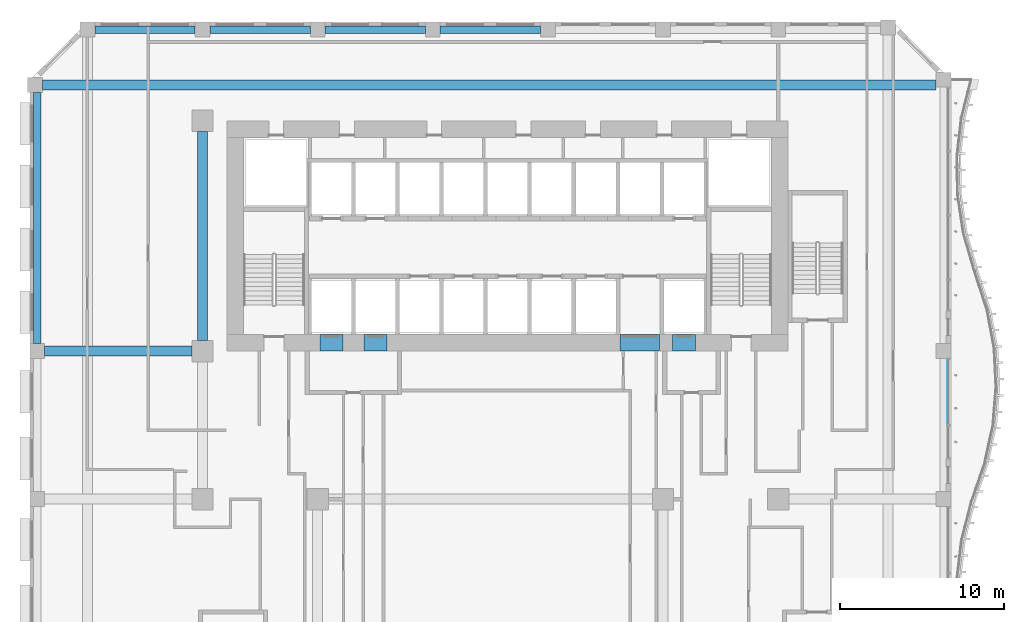
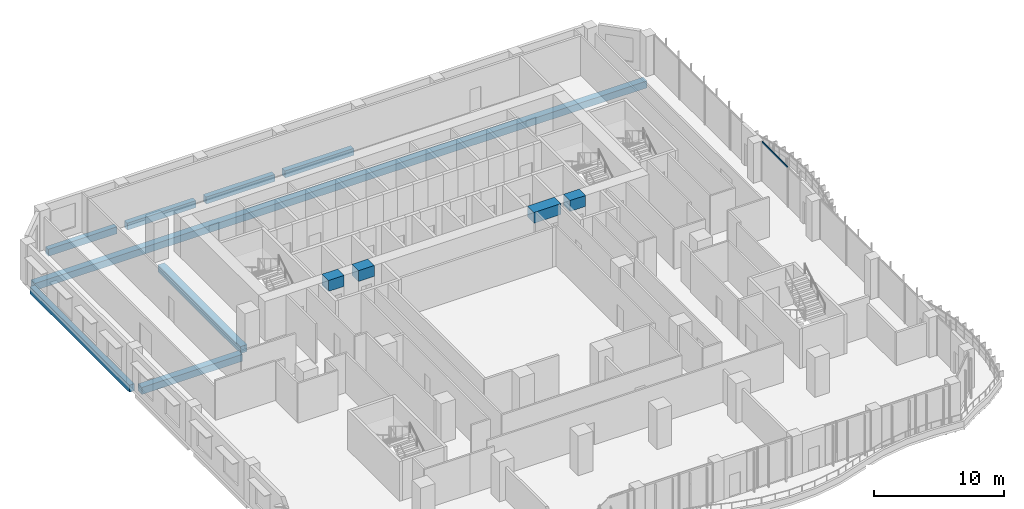
# One storey, part 7 of 27: 12 beams, 1 member, 1 element without a shape of its own.
"""IFC4 building model written with IfcOpenShell, lengths in metres."""

from ifc_helpers import new_model, si_unit, direction, frame, origin, origin_2d, place, context, subcontext, project, spatial, rectangle, extrude, source, transform, mapped, material, material_profile, profile_set, type_object, element, aggregate, save


model = new_model("IFC4")

# Units and contexts
model_context = context("Model", 3, precision=1e-05, world=origin(), true_north=direction((0.0, 1.0)))
body_context = subcontext(model_context, "Body", "Model", "MODEL_VIEW")
ifc_project = project(units=[si_unit("LENGTHUNIT", "METRE"), si_unit("AREAUNIT", "SQUARE_METRE"), si_unit("VOLUMEUNIT", "CUBIC_METRE"), si_unit("PLANEANGLEUNIT", "RADIAN"), si_unit("MASSUNIT", "GRAM", prefix="KILO")], contexts=[model_context])

# Site, building, storey
site_placement = place(None, origin())
site = spatial("IfcSite", under=ifc_project, at=site_placement, CompositionType="ELEMENT")
building_placement = place(site_placement, origin())
building = spatial("IfcBuilding", under=site, at=building_placement, Name="Kilnfold Tower and Market Hall", CompositionType="ELEMENT")
storey_placement = place(building_placement, frame((0.0, 0.0, 47.0)))
storey = spatial("IfcBuildingStorey", under=building, at=storey_placement, Name="L10", CompositionType="ELEMENT", Elevation=47.0)

# Beams
ifc_material_1 = material(Name="Concrete C45", Category="concrete")
ifc_material_profile_1 = material_profile(ifc_material_1, rectangle(XDim=0.449951171875, YDim=0.64990234375, at=origin_2d()), Name="RC 450x650")
ifc_profile_set_1 = profile_set([ifc_material_profile_1], Name="Concrete C45")
beam_type_1 = type_object("IfcBeamType", Name="EDGE BEAM 450X650 C45", PredefinedType="BEAM", material=ifc_profile_set_1)
shared_shape_1 = source(origin(), body_context, "Body", "SweptSolid", [
    extrude(rectangle(XDim=0.449951171875, YDim=0.64990234375, at=origin_2d()), origin(), (0.0, 0.0, 1.0), 6.10009765625),
])
for number, where, z_axis, x_axis, name in (
    (1, (-24.050048828125, 27.550048828125, -0.60498046875), (1.0, 0.0, 0.0), (0.0, 1.0, 0.0), "Beam EB650-B1.23"),
    (2, (-17.050048828125, 27.550048828125, -0.60498046875), (1.0, 0.0, 0.0), (0.0, 1.0, 0.0), "Beam EB650-B1.24"),
    (3, (-10.050048828125, 27.550048828125, -0.60498046875), (1.0, 0.0, 0.0), (0.0, 1.0, 0.0), "Beam EB650-B1.25"),
    (4, (-3.050048828125, 27.550048828125, -0.60498046875), (1.0, 0.0, 0.0), (0.0, 1.0, 0.0), "Beam EB650-B1.26"),
):
    element("IfcBeam", number, at=place(storey_placement, frame(where, z_axis=z_axis, x_axis=x_axis)), inside=storey, type_object=beam_type_1, Name=name, PredefinedType="BEAM", context=body_context, shape_type="MappedRepresentation", body=[
        mapped(shared_shape_1, transform((0.0, 0.0, 0.0))),
    ])
ifc_material_2 = material(Name="Concrete C45", Category="concrete")
ifc_material_profile_2 = material_profile(ifc_material_2, rectangle(XDim=0.60009765625, YDim=0.64990234375, at=origin_2d()), Name="RC 600x650")
ifc_profile_set_2 = profile_set([ifc_material_profile_2], Name="Concrete C45")
beam_type_2 = type_object("IfcBeamType", Name="BEAM 600X650 C45", PredefinedType="BEAM", material=ifc_profile_set_2)
shared_shape_2 = source(origin(), body_context, "Body", "SweptSolid", [
    extrude(rectangle(XDim=0.60009765625, YDim=0.64990234375, at=origin_2d()), origin(), (0.0, 0.0, 1.0), 8.9501953125),
])
beam_1_placement = place(storey_placement, frame((-27.10009765625, 8.0, -0.60498046875), z_axis=(1.0, 0.0, 0.0), x_axis=(0.0, 1.0, 0.0)))
element("IfcBeam", 5, at=beam_1_placement, inside=storey, type_object=beam_type_2, Name="Beam BB650-B1.21", PredefinedType="BEAM", context=body_context, shape_type="MappedRepresentation", body=[
    mapped(shared_shape_2, transform((0.0, 0.0, 0.0))),
])
shared_shape_3 = source(origin(), body_context, "Body", "SweptSolid", [
    extrude(rectangle(XDim=0.60009765625, YDim=0.64990234375, at=origin_2d()), origin(), (0.0, 0.0, 1.0), 54.331787109375),
])
beam_2_placement = place(storey_placement, frame((-27.231689453125, 24.179931640625, -0.60498046875), z_axis=(1.0, 0.0, 0.0), x_axis=(0.0, 1.0, 0.0)))
element("IfcBeam", 6, at=beam_2_placement, inside=storey, type_object=beam_type_2, Name="Beam BB650-B1.22", PredefinedType="BEAM", context=body_context, shape_type="MappedRepresentation", body=[
    mapped(shared_shape_3, transform((0.0, 0.0, 0.0))),
])
shared_shape_4 = source(origin(), body_context, "Body", "SweptSolid", [
    extrude(rectangle(XDim=0.449951171875, YDim=0.64990234375, at=origin_2d()), origin(), (0.0, 0.0, 1.0), 15.28173828125),
])
beam_3_placement = place(storey_placement, frame((-27.550048828125, 8.449951171875, -0.60498046875), z_axis=(0.0, 1.0, 0.0), x_axis=(-1.0, 0.0, 0.0)))
element("IfcBeam", 7, at=beam_3_placement, inside=storey, type_object=beam_type_1, Name="Beam EB650-B1.34", PredefinedType="BEAM", context=body_context, shape_type="MappedRepresentation", body=[
    mapped(shared_shape_4, transform((0.0, 0.0, 0.0))),
])
shared_shape_5 = source(origin(), body_context, "Body", "SweptSolid", [
    extrude(rectangle(XDim=0.60009765625, YDim=0.64990234375, at=origin_2d()), origin(), (0.0, 0.0, 1.0), 12.7001953125),
])
beam_4_placement = place(storey_placement, frame((-17.5, 8.64990234375, -0.60498046875), z_axis=(0.0, 1.0, 0.0), x_axis=(-1.0, 0.0, 0.0)))
element("IfcBeam", 8, at=beam_4_placement, inside=storey, type_object=beam_type_2, Name="Beam BB650-B1.38", PredefinedType="BEAM", context=body_context, shape_type="MappedRepresentation", body=[
    mapped(shared_shape_5, transform((0.0, 0.0, 0.0))),
])
ifc_material_3 = material(Name="Concrete C80", Category="concrete")
ifc_material_profile_3 = material_profile(ifc_material_3, rectangle(XDim=1.0, YDim=1.02001953125, at=origin_2d()), Name="RC 1000x1020")
ifc_profile_set_3 = profile_set([ifc_material_profile_3], Name="Concrete C80")
beam_type_3 = type_object("IfcBeamType", Name="COUPLING BEAM 1000X1020 C80", PredefinedType="BEAM", material=ifc_profile_set_3)
shared_shape_6 = source(origin(), body_context, "Body", "SweptSolid", [
    extrude(rectangle(XDim=1.0, YDim=1.02001953125, at=origin_2d()), origin(), (0.0, 0.0, 1.0), 1.400146484375),
])
beam_5_placement = place(storey_placement, frame((-10.3701171875, 8.5, 3.2099609375), z_axis=(1.0, 0.0, 0.0), x_axis=(0.0, 1.0, 0.0)))
element("IfcBeam", 9, at=beam_5_placement, inside=storey, type_object=beam_type_3, Name="Coupling beam CB1020-80-CORE.42", PredefinedType="BEAM", context=body_context, shape_type="MappedRepresentation", body=[
    mapped(shared_shape_6, transform((0.0, 0.0, 0.0))),
])
shared_shape_7 = source(origin(), body_context, "Body", "SweptSolid", [
    extrude(rectangle(XDim=1.0, YDim=1.02001953125, at=origin_2d()), origin(), (0.0, 0.0, 1.0), 1.39990234375),
])
for number, where, z_axis, x_axis, name in (
    (10, (-7.68994140625, 8.5, 3.2099609375), (1.0, 0.0, 0.0), (0.0, 1.0, 0.0), "Coupling beam CB1020-80-CORE.43"),
    (11, (11.070068359375, 8.5, 3.2099609375), (1.0, 0.0, 0.0), (0.0, 1.0, 0.0), "Coupling beam CB1020-80-CORE.45"),
):
    element("IfcBeam", number, at=place(storey_placement, frame(where, z_axis=z_axis, x_axis=x_axis)), inside=storey, type_object=beam_type_3, Name=name, PredefinedType="BEAM", context=body_context, shape_type="MappedRepresentation", body=[
        mapped(shared_shape_7, transform((0.0, 0.0, 0.0))),
    ])
shared_shape_8 = source(origin(), body_context, "Body", "SweptSolid", [
    extrude(rectangle(XDim=1.0, YDim=1.02001953125, at=origin_2d()), origin(), (0.0, 0.0, 1.0), 2.400146484375),
])
beam_6_placement = place(storey_placement, frame((7.889892578125, 8.5, 3.2099609375), z_axis=(1.0, 0.0, 0.0), x_axis=(0.0, 1.0, 0.0)))
element("IfcBeam", 12, at=beam_6_placement, inside=storey, type_object=beam_type_3, Name="Coupling beam CB1020-80-CORE.44", PredefinedType="BEAM", context=body_context, shape_type="MappedRepresentation", body=[
    mapped(shared_shape_8, transform((0.0, 0.0, 0.0))),
])

# Curtain wall, member
ifc_material_4 = material(Name="Aluminium and double glazing", Category="aluminium")
curtain_wall_type = type_object("IfcCurtainWallType", Name="CW OF1 VALLEY GLAZING", PredefinedType="NOTDEFINED", material=ifc_material_4)
curtain_wall_placement = place(storey_placement, origin())
curtain_wall = element("IfcCurtainWall", 13, at=curtain_wall_placement, inside=storey, type_object=curtain_wall_type, Name="Curtain wall CW1 L10 E", PredefinedType="NOTDEFINED")
ifc_material_5 = material(Name="Aluminium", Category="aluminium")
ifc_material_profile_4 = material_profile(ifc_material_5, rectangle(XDim=0.06005859375, YDim=0.139892578125, at=origin_2d()), Name="TRANSOM 60x140")
ifc_profile_set_4 = profile_set([ifc_material_profile_4], Name="Aluminium")
member_type = type_object("IfcMemberType", Name="TRANSOM 60X140", PredefinedType="USERDEFINED", material=ifc_profile_set_4)
shared_shape_9 = source(origin(), body_context, "Body", "SweptSolid", [
    extrude(rectangle(XDim=0.06005859375, YDim=0.139892578125, at=origin_2d()), origin(), (0.0, 0.0, 1.0), 3.929931640625),
])
member_placement = place(storey_placement, frame((27.85009765625, 3.56005859375, 3.68994140625), z_axis=(0.0, 1.0, 0.0), x_axis=(-1.0, 0.0, 0.0)))
member = element("IfcMember", 14, at=member_placement, type_object=member_type, Name="CW1 transom 1.2", ObjectType="TRANSOM", PredefinedType="USERDEFINED", context=body_context, shape_type="MappedRepresentation", body=[
    mapped(shared_shape_9, transform((0.0, 0.0, 0.0))),
])
aggregate(curtain_wall, [member])

save(model, "model.ifc")
